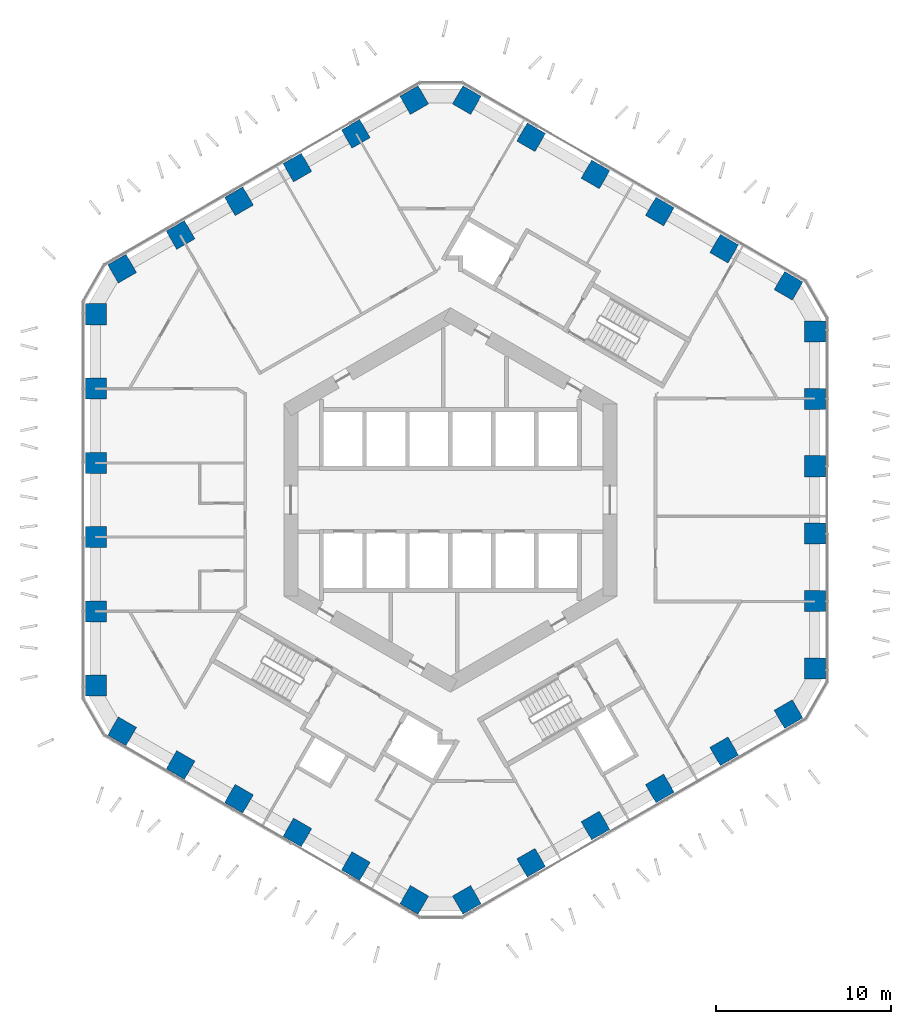
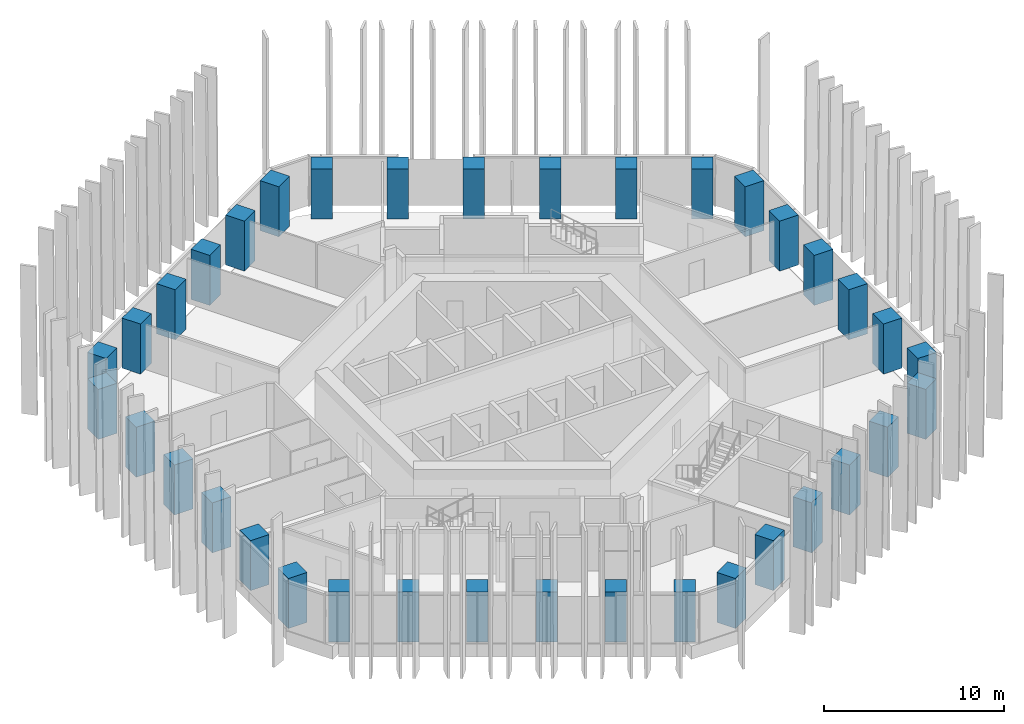
# One storey, part 1 of 19: 36 columns.
"""IFC4 building model written with IfcOpenShell, lengths in metres."""

from ifc_helpers import new_model, si_unit, direction, frame, origin, origin_2d, place, context, subcontext, project, spatial, rectangle, extrude, material, material_profile, profile_set, type_object, element, save


model = new_model("IFC4")

# Units and contexts
model_context = context("Model", 3, precision=1e-05, world=origin(), true_north=direction((0.0, 1.0)))
body_context = subcontext(model_context, "Body", "Model", "MODEL_VIEW")
ifc_project = project(units=[si_unit("LENGTHUNIT", "METRE"), si_unit("AREAUNIT", "SQUARE_METRE"), si_unit("VOLUMEUNIT", "CUBIC_METRE"), si_unit("PLANEANGLEUNIT", "RADIAN"), si_unit("MASSUNIT", "GRAM", prefix="KILO")], contexts=[model_context])

# Site, building, storey
site_placement = place(None, origin())
site = spatial("IfcSite", under=ifc_project, at=site_placement, CompositionType="ELEMENT")
building_placement = place(site_placement, origin())
building = spatial("IfcBuilding", under=site, at=building_placement, Name="Ayvan Gate Tower", CompositionType="ELEMENT")
storey_placement = place(building_placement, frame((0.0, 0.0, 56.10009765625)))
storey = spatial("IfcBuildingStorey", under=building, at=storey_placement, Name="L14", CompositionType="ELEMENT", Elevation=56.10009765625)

# Columns
ifc_material = material(Name="Concrete C70/85", Category="concrete")
ifc_material_profile = material_profile(ifc_material, rectangle(XDim=1.199951171875, YDim=1.199951171875, at=origin_2d()), Name="RC 1200x1200")
ifc_profile_set = profile_set([ifc_material_profile], Name="Concrete C70/85")
column_type = type_object("IfcColumnType", Name="Tube column RC 1200x1200 C70/85", PredefinedType="COLUMN", material=ifc_profile_set)
for number, where, z_axis, x_axis, name in (
    (1, (20.78466796875, -9.616943359375, 0.0), (0.0, 0.0, 1.0), (1.0, 0.0, 0.0), "C-T0-0-L14"),
    (2, (20.78466796875, -5.770263671875, 0.0), (0.0, 0.0, 1.0), (1.0, 0.0, 0.0), "C-T0-1-L14"),
    (3, (20.78466796875, -1.92333984375, 0.0), (0.0, 0.0, 1.0), (1.0, 0.0, 0.0), "C-T0-2-L14"),
    (4, (20.78466796875, 1.92333984375, 0.0), (0.0, 0.0, 1.0), (1.0, 0.0, 0.0), "C-T0-3-L14"),
    (5, (20.78466796875, 5.770263671875, 0.0), (0.0, 0.0, 1.0), (1.0, 0.0, 0.0), "C-T0-4-L14"),
    (6, (20.78466796875, 9.616943359375, 0.0), (0.0, 0.0, 1.0), (1.0, 0.0, 0.0), "C-T0-5-L14"),
    (7, (19.28466796875, 12.215087890625, 0.0), (0.0, 0.0, 1.0), (0.5, 0.866025403784, 0.0), "C-T1-0-L14"),
    (8, (15.614990234375, 14.333740234375, 0.0), (0.0, 0.0, 1.0), (0.5, 0.866025403784, 0.0), "C-T1-1-L14"),
    (9, (11.9453125, 16.452392578125, 0.0), (0.0, 0.0, 1.0), (0.5, 0.866025403784, 0.0), "C-T1-2-L14"),
    (10, (8.275634765625, 18.571044921875, 0.0), (0.0, 0.0, 1.0), (0.5, 0.866025403784, 0.0), "C-T1-3-L14"),
    (11, (4.60595703125, 20.689697265625, 0.0), (0.0, 0.0, 1.0), (0.5, 0.866025403784, 0.0), "C-T1-4-L14"),
    (12, (0.936279296875, 22.808349609375, 0.0), (0.0, 0.0, 1.0), (0.5, 0.866025403784, 0.0), "C-T1-5-L14"),
    (13, (-2.063720703125, 22.808349609375, 0.0), (0.0, 0.0, 1.0), (-0.5, 0.866025403784, 0.0), "C-T2-0-L14"),
    (14, (-5.395263671875, 20.885009765625, 0.0), (0.0, 0.0, 1.0), (-0.5, 0.866025403784, 0.0), "C-T2-1-L14"),
    (15, (-8.7265625, 18.961669921875, 0.0), (0.0, 0.0, 1.0), (-0.5, 0.866025403784, 0.0), "C-T2-2-L14"),
    (16, (-12.05810546875, 17.038330078125, 0.0), (0.0, 0.0, 1.0), (-0.5, 0.866025403784, 0.0), "C-T2-3-L14"),
    (17, (-15.389404296875, 15.114990234375, 0.0), (0.0, 0.0, 1.0), (-0.5, 0.866025403784, 0.0), "C-T2-4-L14"),
    (18, (-18.720703125, 13.191650390625, 0.0), (0.0, 0.0, 1.0), (-0.5, 0.866025403784, 0.0), "C-T2-5-L14"),
    (19, (-20.220703125, 10.593505859375, 0.0), (0.0, 0.0, 1.0), (-1.0, 0.0, 0.0), "C-T3-0-L14"),
    (20, (-20.220703125, 6.35595703125, 0.0), (0.0, 0.0, 1.0), (-1.0, 0.0, 0.0), "C-T3-1-L14"),
    (21, (-20.220703125, 2.11865234375, 0.0), (0.0, 0.0, 1.0), (-1.0, 0.0, 0.0), "C-T3-2-L14"),
    (22, (-20.220703125, -2.11865234375, 0.0), (0.0, 0.0, 1.0), (-1.0, 0.0, 0.0), "C-T3-3-L14"),
    (23, (-20.220703125, -6.35595703125, 0.0), (0.0, 0.0, 1.0), (-1.0, 0.0, 0.0), "C-T3-4-L14"),
    (24, (-20.220703125, -10.593505859375, 0.0), (0.0, 0.0, 1.0), (-1.0, 0.0, 0.0), "C-T3-5-L14"),
    (25, (-18.720703125, -13.191650390625, 0.0), (0.0, 0.0, 1.0), (-0.5, -0.866025403784, 0.0), "C-T4-0-L14"),
    (26, (-15.389404296875, -15.114990234375, 0.0), (0.0, 0.0, 1.0), (-0.5, -0.866025403784, 0.0), "C-T4-1-L14"),
    (27, (-12.05810546875, -17.038330078125, 0.0), (0.0, 0.0, 1.0), (-0.5, -0.866025403784, 0.0), "C-T4-2-L14"),
    (28, (-8.7265625, -18.961669921875, 0.0), (0.0, 0.0, 1.0), (-0.5, -0.866025403784, 0.0), "C-T4-3-L14"),
    (29, (-5.395263671875, -20.885009765625, 0.0), (0.0, 0.0, 1.0), (-0.5, -0.866025403784, 0.0), "C-T4-4-L14"),
    (30, (-2.063720703125, -22.808349609375, 0.0), (0.0, 0.0, 1.0), (-0.5, -0.866025403784, 0.0), "C-T4-5-L14"),
    (31, (0.936279296875, -22.808349609375, 0.0), (0.0, 0.0, 1.0), (0.5, -0.866025403784, 0.0), "C-T5-0-L14"),
    (32, (4.60595703125, -20.689697265625, 0.0), (0.0, 0.0, 1.0), (0.5, -0.866025403784, 0.0), "C-T5-1-L14"),
    (33, (8.275634765625, -18.571044921875, 0.0), (0.0, 0.0, 1.0), (0.5, -0.866025403784, 0.0), "C-T5-2-L14"),
    (34, (11.9453125, -16.452392578125, 0.0), (0.0, 0.0, 1.0), (0.5, -0.866025403784, 0.0), "C-T5-3-L14"),
    (35, (15.614990234375, -14.333740234375, 0.0), (0.0, 0.0, 1.0), (0.5, -0.866025403784, 0.0), "C-T5-4-L14"),
    (36, (19.28466796875, -12.215087890625, 0.0), (0.0, 0.0, 1.0), (0.5, -0.866025403784, 0.0), "C-T5-5-L14"),
):
    element("IfcColumn", number, at=place(storey_placement, frame(where, z_axis=z_axis, x_axis=x_axis)), inside=storey, type_object=column_type, Name=name, PredefinedType="COLUMN", context=body_context, shape_type="SweptSolid", body=[
        extrude(rectangle(XDim=1.199951171875, YDim=1.199951171875, at=origin_2d()), origin(), (0.0, 0.0, 1.0), 3.39990234375),
    ])

save(model, "model.ifc")
